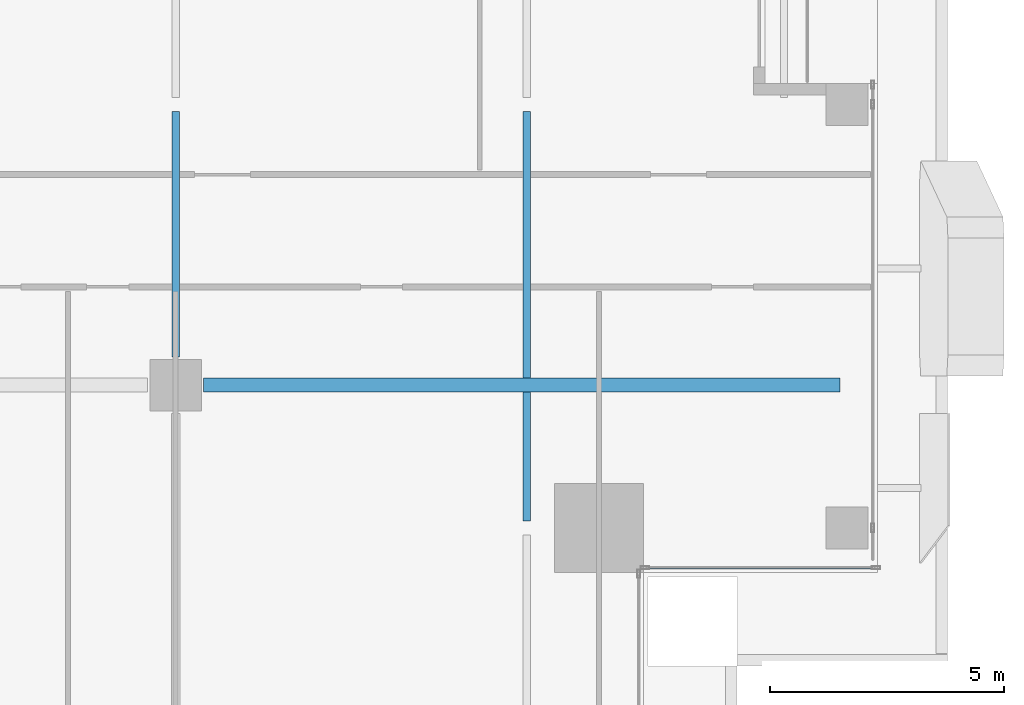
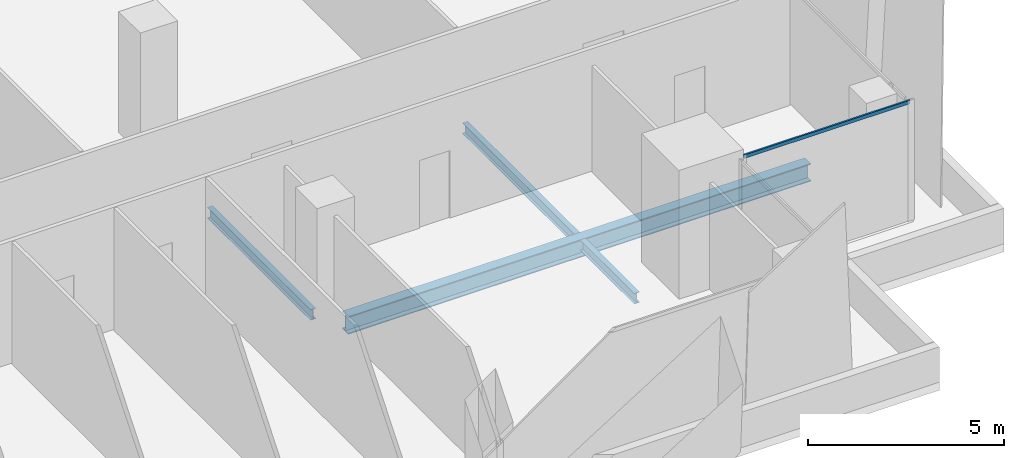
# One storey, part 10 of 33: 4 beams, 1 member, 1 element without a shape of its own.
"""IFC4 building model written with IfcOpenShell, lengths in metres."""

from ifc_helpers import new_model, si_unit, direction, frame, origin, origin_2d, place, context, subcontext, project, spatial, hollow_rectangle, i_section, extrude, source, transform, mapped, material, material_profile, profile_set, type_object, element, aggregate, save


model = new_model("IFC4")

# Units and contexts
model_context = context("Model", 3, precision=1e-05, world=origin(), true_north=direction((0.0, 1.0)))
body_context = subcontext(model_context, "Body", "Model", "MODEL_VIEW")
ifc_project = project(units=[si_unit("LENGTHUNIT", "METRE"), si_unit("AREAUNIT", "SQUARE_METRE"), si_unit("VOLUMEUNIT", "CUBIC_METRE"), si_unit("PLANEANGLEUNIT", "RADIAN"), si_unit("MASSUNIT", "GRAM", prefix="KILO")], contexts=[model_context])

# Site, building, storey
site_placement = place(None, origin())
site = spatial("IfcSite", under=ifc_project, at=site_placement, CompositionType="ELEMENT")
building_placement = place(site_placement, origin())
building = spatial("IfcBuilding", under=site, at=building_placement, Name="Khomas Fold Tower", CompositionType="ELEMENT")
storey_placement = place(building_placement, frame((0.0, 0.0, 222.199951171875)))
storey = spatial("IfcBuildingStorey", under=building, at=storey_placement, Name="L49", CompositionType="ELEMENT", Elevation=222.199951171875)

# Beams
ifc_material_1 = material(Name="Steel S355", Category="steel")
ifc_material_profile_1 = material_profile(ifc_material_1, i_section(OverallWidth=0.300048828125, OverallDepth=0.550048828125, WebThickness=0.014892578125, FlangeThickness=0.029052734375, at=origin_2d()), Name="HE 550 B")
ifc_profile_set_1 = profile_set([ifc_material_profile_1], Name="Steel S355")
beam_type_1 = type_object("IfcBeamType", Name="HE 550 B beam GB4", PredefinedType="BEAM", material=ifc_profile_set_1)
shared_shape_1 = source(origin(), body_context, "Body", "SweptSolid", [
    extrude(i_section(OverallWidth=0.300048828125, OverallDepth=0.550048828125, WebThickness=0.014892578125, FlangeThickness=0.029052734375, at=origin_2d()), origin(), (0.0, 0.0, 1.0), 13.599853515625),
])
beam_1_placement = place(storey_placement, frame((35.10009765625, 13.5, -0.52490234375), z_axis=(1.0, 0.0, 0.0), x_axis=(0.0, 1.0, 0.0)))
element("IfcBeam", 1, at=beam_1_placement, inside=storey, type_object=beam_type_1, Name="GB4", PredefinedType="BEAM", context=body_context, shape_type="MappedRepresentation", body=[
    mapped(shared_shape_1, transform((0.0, 0.0, 0.0))),
])
ifc_material_2 = material(Name="Steel S355", Category="steel")
ifc_material_profile_2 = material_profile(ifc_material_2, i_section(OverallWidth=0.159912109375, OverallDepth=0.330078125, WebThickness=0.007568359375, FlangeThickness=0.011474609375, at=origin_2d()), Name="IPE 330")
ifc_profile_set_2 = profile_set([ifc_material_profile_2], Name="Steel S355")
beam_type_2 = type_object("IfcBeamType", Name="IPE 330 beam JB1", PredefinedType="BEAM", material=ifc_profile_set_2)
shared_shape_2 = source(origin(), body_context, "Body", "SweptSolid", [
    extrude(i_section(OverallWidth=0.159912109375, OverallDepth=0.330078125, WebThickness=0.007568359375, FlangeThickness=0.011474609375, at=origin_2d()), origin(), (0.0, 0.0, 1.0), 2.75),
])
beam_2_placement = place(storey_placement, frame((42.0, 10.60009765625, -0.4150390625), z_axis=(0.0, 1.0, 0.0), x_axis=(-1.0, 0.0, 0.0)))
element("IfcBeam", 2, at=beam_2_placement, inside=storey, type_object=beam_type_2, Name="JB1", PredefinedType="BEAM", context=body_context, shape_type="MappedRepresentation", body=[
    mapped(shared_shape_2, transform((0.0, 0.0, 0.0))),
])
shared_shape_3 = source(origin(), body_context, "Body", "SweptSolid", [
    extrude(i_section(OverallWidth=0.159912109375, OverallDepth=0.330078125, WebThickness=0.007568359375, FlangeThickness=0.011474609375, at=origin_2d()), origin(), (0.0, 0.0, 1.0), 5.69921875),
])
beam_3_placement = place(storey_placement, frame((42.0, 13.64990234375, -0.4150390625), z_axis=(0.0, 1.0, 0.0), x_axis=(-1.0, 0.0, 0.0)))
element("IfcBeam", 3, at=beam_3_placement, inside=storey, type_object=beam_type_2, Name="JB1", PredefinedType="BEAM", context=body_context, shape_type="MappedRepresentation", body=[
    mapped(shared_shape_3, transform((0.0, 0.0, 0.0))),
])
shared_shape_4 = source(origin(), body_context, "Body", "SweptSolid", [
    extrude(i_section(OverallWidth=0.159912109375, OverallDepth=0.330078125, WebThickness=0.007568359375, FlangeThickness=0.011474609375, at=origin_2d()), origin(), (0.0, 0.0, 1.0), 5.2490234375),
])
beam_4_placement = place(storey_placement, frame((34.5, 14.10009765625, -0.4150390625), z_axis=(0.0, 1.0, 0.0), x_axis=(-1.0, 0.0, 0.0)))
element("IfcBeam", 4, at=beam_4_placement, inside=storey, type_object=beam_type_2, Name="JB1", PredefinedType="BEAM", context=body_context, shape_type="MappedRepresentation", body=[
    mapped(shared_shape_4, transform((0.0, 0.0, 0.0))),
])

# Curtain wall, member
ifc_material_3 = material(Name="Aluminium framed double glazing", Category="aluminium")
curtain_wall_type = type_object("IfcCurtainWallType", Name="SK-Unitised clear-glass wall, office floors CW2", PredefinedType="NOTDEFINED", material=ifc_material_3)
curtain_wall_placement = place(storey_placement, origin())
curtain_wall = element("IfcCurtainWall", 5, at=curtain_wall_placement, inside=storey, type_object=curtain_wall_type, Name="CW2 corner return L49 02", PredefinedType="NOTDEFINED")
ifc_material_4 = material(Name="Aluminium", Category="aluminium")
ifc_material_profile_3 = material_profile(ifc_material_4, hollow_rectangle(XDim=0.050048828125, YDim=0.110107421875, WallThickness=0.00390625, at=origin_2d()), Name="SK-Unitised clear-glass wall, office floors transom CW2-T")
ifc_profile_set_3 = profile_set([ifc_material_profile_3], Name="Aluminium")
member_type = type_object("IfcMemberType", Name="SK-Unitised clear-glass wall, office floors transom CW2-T", PredefinedType="USERDEFINED", material=ifc_profile_set_3)
shared_shape_5 = source(origin(), body_context, "Body", "SweptSolid", [
    extrude(hollow_rectangle(XDim=0.050048828125, YDim=0.110107421875, WallThickness=0.00390625, at=origin_2d()), origin(), (0.0, 0.0, 1.0), 4.8798828125),
])
member_placement = place(storey_placement, frame((44.56005859375, 9.60009765625, 3.695068359375), z_axis=(1.0, 0.0, 0.0), x_axis=(0.0, 1.0, 0.0)))
member = element("IfcMember", 6, at=member_placement, type_object=member_type, Name="CW2 transom 1", ObjectType="TRANSOM", PredefinedType="USERDEFINED", context=body_context, shape_type="MappedRepresentation", body=[
    mapped(shared_shape_5, transform((0.0, 0.0, 0.0))),
])
aggregate(curtain_wall, [member])

save(model, "model.ifc")
